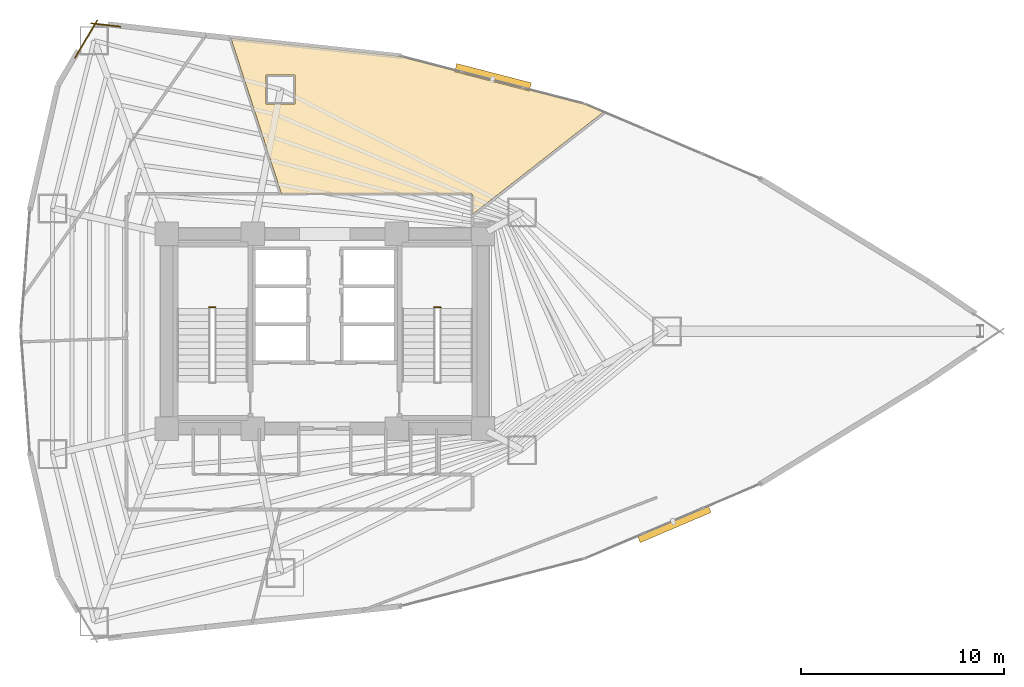
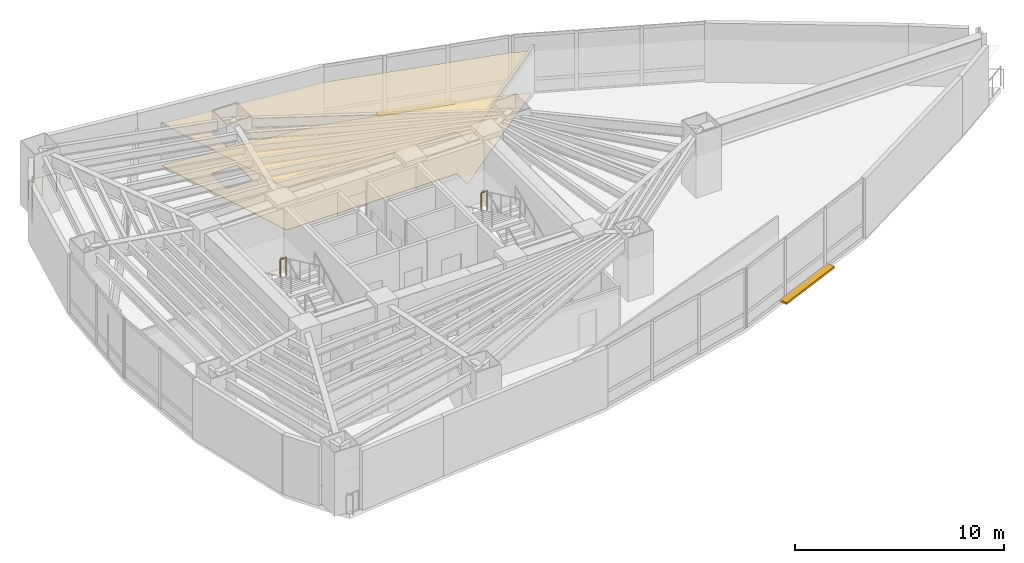
# One storey, part 19 of 20: 4 railings, 2 coverings, 2 shading devices.
"""IFC4 building model written with IfcOpenShell, lengths in metres."""

from ifc_helpers import new_model, si_unit, direction, frame, origin, origin_2d, place, context, subcontext, project, spatial, polyline, rectangle, circle, outline, extrude, material, layer, layer_set, type_object, element, save


model = new_model("IFC4")

# Units and contexts
model_context = context("Model", 3, precision=1e-05, world=origin(), true_north=direction((0.0, 1.0)))
body_context = subcontext(model_context, "Body", "Model", "MODEL_VIEW")
ifc_project = project(units=[si_unit("LENGTHUNIT", "METRE"), si_unit("AREAUNIT", "SQUARE_METRE"), si_unit("VOLUMEUNIT", "CUBIC_METRE"), si_unit("PLANEANGLEUNIT", "RADIAN"), si_unit("MASSUNIT", "GRAM", prefix="KILO")], contexts=[model_context])

# Site, building, storey
site_placement = place(None, origin())
site = spatial("IfcSite", under=ifc_project, at=site_placement, CompositionType="ELEMENT")
building_placement = place(site_placement, origin())
building = spatial("IfcBuilding", under=site, at=building_placement, Name="Menara Vayukalpa", CompositionType="ELEMENT")
storey_placement = place(building_placement, frame((0.0, 0.0, 57.360107421875)))
storey = spatial("IfcBuildingStorey", under=building, at=storey_placement, Name="L13", CompositionType="ELEMENT", Elevation=57.360107421875)

# Coverings
ifc_material_1 = material(Name="Mineral Fibre Acoustic Ceiling Tile", Category="masonry")
ifc_layer_1 = layer(ifc_material_1, 0.02490234375)
ifc_layer_set_1 = layer_set([ifc_layer_1], Name="Mineral Fibre Acoustic Ceiling Tile")
covering_type_1 = type_object("IfcCoveringType", Name="COV-CLG1", PredefinedType="CEILING", material=ifc_layer_set_1)
covering_1_placement = place(storey_placement, frame((0.0, 0.0, 2.449951171875)))
element("IfcCovering", 1, at=covering_1_placement, inside=storey, type_object=covering_type_1, Name="L13 Digital Engineering Lab Acoustic Ceiling", PredefinedType="CEILING", context=body_context, shape_type="SweptSolid", body=[
    extrude(outline(polyline([(38.416015625, 33.19677734375), (38.416748046875, 33.196533203125), (38.41748046875, 33.1962890625), (39.31787109375, 32.8125), (39.31884765625, 32.812255859375), (39.319580078125, 32.811767578125), (39.3203125, 32.81103515625), (39.3212890625, 32.810302734375), (39.32177734375, 32.8095703125), (39.322509765625, 32.808837890625), (39.322998046875, 32.80810546875), (39.3232421875, 32.80712890625), (39.323486328125, 32.80615234375), (39.32373046875, 32.80517578125), (39.323974609375, 32.80419921875), (39.323974609375, 32.80322265625), (39.323974609375, 32.80224609375), (39.32373046875, 32.80126953125), (39.323486328125, 32.80029296875), (39.3232421875, 32.79931640625), (39.32275390625, 32.798583984375), (39.322265625, 32.797607421875), (39.321533203125, 32.796875), (39.32080078125, 32.796142578125), (39.3203125, 32.79541015625), (32.88623046875, 27.768798828125), (32.885498046875, 27.768310546875), (32.884521484375, 27.767578125), (32.883544921875, 27.767333984375), (32.8828125, 27.76708984375), (32.8818359375, 27.766845703125), (32.880859375, 27.7666015625), (32.8798828125, 27.7666015625), (32.87890625, 27.7666015625), (32.8779296875, 27.766845703125), (32.876953125, 27.76708984375), (32.876220703125, 27.767333984375), (32.875244140625, 27.767822265625), (32.87451171875, 27.768310546875), (32.87353515625, 27.768798828125), (32.872802734375, 27.76953125), (32.872314453125, 27.770263671875), (32.87158203125, 27.77099609375), (32.87109375, 27.77197265625), (32.87060546875, 27.772705078125), (32.870361328125, 27.773681640625), (32.8701171875, 27.774658203125), (32.8701171875, 27.775634765625), (32.8701171875, 27.776611328125), (32.8701171875, 28.69970703125), (32.86962890625, 28.706787109375), (32.86865234375, 28.713623046875), (32.866943359375, 28.72021484375), (32.86474609375, 28.726806640625), (32.86181640625, 28.73291015625), (32.858154296875, 28.73876953125), (32.85400390625, 28.744384765625), (32.849609375, 28.74951171875), (32.844482421875, 28.75390625), (32.8388671875, 28.75830078125), (32.8330078125, 28.76171875), (32.826904296875, 28.7646484375), (32.8203125, 28.76708984375), (32.813720703125, 28.768798828125), (32.806884765625, 28.76953125), (32.7998046875, 28.77001953125), (23.470703125, 28.77001953125), (23.469482421875, 28.77001953125), (23.46875, 28.770263671875), (23.4677734375, 28.7705078125), (23.466796875, 28.770751953125), (23.466064453125, 28.77099609375), (23.465087890625, 28.771484375), (23.46435546875, 28.772216796875), (23.463623046875, 28.772705078125), (23.462890625, 28.773681640625), (23.46240234375, 28.7744140625), (23.4619140625, 28.775146484375), (23.46142578125, 28.77587890625), (23.461181640625, 28.77685546875), (20.973388671875, 36.433837890625), (20.972900390625, 36.434814453125), (20.972900390625, 36.435791015625), (20.972900390625, 36.436767578125), (20.972900390625, 36.437744140625), (20.972900390625, 36.438720703125), (20.97314453125, 36.439697265625), (20.973388671875, 36.440673828125), (20.973876953125, 36.44140625), (20.974365234375, 36.4423828125), (20.97509765625, 36.443115234375), (20.9755859375, 36.44384765625), (20.976318359375, 36.444580078125), (20.977294921875, 36.4453125), (20.97802734375, 36.44580078125), (20.97900390625, 36.446044921875), (20.97998046875, 36.446533203125), (20.98095703125, 36.44677734375), (20.98193359375, 36.447021484375), (20.98291015625, 36.447021484375), (20.98388671875, 36.44677734375), (29.28564453125, 35.55810546875), (29.287109375, 35.557861328125), (38.416015625, 33.19677734375)]), holes=[polyline([(24.134521484375, 33.207763671875), (24.134521484375, 34.6376953125), (22.704345703125, 34.6376953125), (22.704345703125, 33.207763671875), (24.134521484375, 33.207763671875)])]), origin(), (0.0, 0.0, 1.0), 0.02490234375),
])
ifc_material_2 = material(Name="Porcelain Stoneware Floor Tile", Category="masonry")
ifc_layer_2 = layer(ifc_material_2, 0.02001953125)
ifc_layer_set_2 = layer_set([ifc_layer_2], Name="Porcelain Stoneware Floor Tile")
covering_type_2 = type_object("IfcCoveringType", Name="COV-FLR1", PredefinedType="FLOORING", material=ifc_layer_set_2)
covering_2_placement = place(storey_placement, origin())
element("IfcCovering", 2, at=covering_2_placement, inside=storey, type_object=covering_type_2, Name="L13 Digital Engineering Lab Porcelain Flooring", PredefinedType="FLOORING", context=body_context, shape_type="SweptSolid", body=[
    extrude(outline(polyline([(38.416015625, 33.19677734375), (38.416748046875, 33.196533203125), (38.41748046875, 33.1962890625), (39.31787109375, 32.8125), (39.31884765625, 32.812255859375), (39.319580078125, 32.811767578125), (39.3203125, 32.81103515625), (39.3212890625, 32.810302734375), (39.32177734375, 32.8095703125), (39.322509765625, 32.808837890625), (39.322998046875, 32.80810546875), (39.3232421875, 32.80712890625), (39.323486328125, 32.80615234375), (39.32373046875, 32.80517578125), (39.323974609375, 32.80419921875), (39.323974609375, 32.80322265625), (39.323974609375, 32.80224609375), (39.32373046875, 32.80126953125), (39.323486328125, 32.80029296875), (39.3232421875, 32.79931640625), (39.32275390625, 32.798583984375), (39.322265625, 32.797607421875), (39.321533203125, 32.796875), (39.32080078125, 32.796142578125), (39.3203125, 32.79541015625), (32.88623046875, 27.768798828125), (32.885498046875, 27.768310546875), (32.884521484375, 27.767578125), (32.883544921875, 27.767333984375), (32.8828125, 27.76708984375), (32.8818359375, 27.766845703125), (32.880859375, 27.7666015625), (32.8798828125, 27.7666015625), (32.87890625, 27.7666015625), (32.8779296875, 27.766845703125), (32.876953125, 27.76708984375), (32.876220703125, 27.767333984375), (32.875244140625, 27.767822265625), (32.87451171875, 27.768310546875), (32.87353515625, 27.768798828125), (32.872802734375, 27.76953125), (32.872314453125, 27.770263671875), (32.87158203125, 27.77099609375), (32.87109375, 27.77197265625), (32.87060546875, 27.772705078125), (32.870361328125, 27.773681640625), (32.8701171875, 27.774658203125), (32.8701171875, 27.775634765625), (32.8701171875, 27.776611328125), (32.8701171875, 28.69970703125), (32.86962890625, 28.706787109375), (32.86865234375, 28.713623046875), (32.866943359375, 28.72021484375), (32.86474609375, 28.726806640625), (32.86181640625, 28.73291015625), (32.858154296875, 28.73876953125), (32.85400390625, 28.744384765625), (32.849609375, 28.74951171875), (32.844482421875, 28.75390625), (32.8388671875, 28.75830078125), (32.8330078125, 28.76171875), (32.826904296875, 28.7646484375), (32.8203125, 28.76708984375), (32.813720703125, 28.768798828125), (32.806884765625, 28.76953125), (32.7998046875, 28.77001953125), (23.470703125, 28.77001953125), (23.469482421875, 28.77001953125), (23.46875, 28.770263671875), (23.4677734375, 28.7705078125), (23.466796875, 28.770751953125), (23.466064453125, 28.77099609375), (23.465087890625, 28.771484375), (23.46435546875, 28.772216796875), (23.463623046875, 28.772705078125), (23.462890625, 28.773681640625), (23.46240234375, 28.7744140625), (23.4619140625, 28.775146484375), (23.46142578125, 28.77587890625), (23.461181640625, 28.77685546875), (20.973388671875, 36.433837890625), (20.972900390625, 36.434814453125), (20.972900390625, 36.435791015625), (20.972900390625, 36.436767578125), (20.972900390625, 36.437744140625), (20.972900390625, 36.438720703125), (20.97314453125, 36.439697265625), (20.973388671875, 36.440673828125), (20.973876953125, 36.44140625), (20.974365234375, 36.4423828125), (20.97509765625, 36.443115234375), (20.9755859375, 36.44384765625), (20.976318359375, 36.444580078125), (20.977294921875, 36.4453125), (20.97802734375, 36.44580078125), (20.97900390625, 36.446044921875), (20.97998046875, 36.446533203125), (20.98095703125, 36.44677734375), (20.98193359375, 36.447021484375), (20.98291015625, 36.447021484375), (20.98388671875, 36.44677734375), (29.28564453125, 35.55810546875), (29.287109375, 35.557861328125), (38.416015625, 33.19677734375)]), holes=[polyline([(24.134521484375, 33.207763671875), (24.134521484375, 34.6376953125), (22.704345703125, 34.6376953125), (22.704345703125, 33.207763671875), (24.134521484375, 33.207763671875)])]), origin(), (0.0, 0.0, 1.0), 0.019775390625),
])

# Railings
ifc_material_3 = material(Name="Laminated Glass and Stainless Steel 316 Guardrail", Category="steel")
railing_type_1 = type_object("IfcRailingType", Name="RLG-EXT115", PredefinedType="GUARDRAIL", material=ifc_material_3)
railing_1_placement = place(storey_placement, frame((15.52294921875, 37.017822265625, 0.0)))
element("IfcRailing", 3, at=railing_1_placement, inside=storey, type_object=railing_type_1, Name="L13 Column Corner Spandrel Guardrail 07-1", PredefinedType="GUARDRAIL", context=body_context, shape_type="SweptSolid", body=[
    extrude(circle(Radius=0.02392578125, at=origin_2d()), frame((0.0, 0.0, 1.1259765625), z_axis=(-0.993641249981, 0.112592479038, 0.0), x_axis=(-0.112592479038, -0.993641249981, 0.0)), (0.0, 0.0, 1.0), 1.45068359375),
    extrude(circle(Radius=0.02099609375, at=origin_2d()), origin(), (0.0, 0.0, 1.0), 1.101806640625),
    extrude(circle(Radius=0.02099609375, at=origin_2d()), frame((-0.720703125, 0.08154296875, 0.0)), (0.0, 0.0, 1.0), 1.101806640625),
    extrude(circle(Radius=0.02099609375, at=origin_2d()), frame((-1.44140625, 0.163330078125, 0.0)), (0.0, 0.0, 1.0), 1.101806640625),
])
railing_2_placement = place(storey_placement, frame((14.370361328125, 37.325439453125, 0.0)))
element("IfcRailing", 4, at=railing_2_placement, inside=storey, type_object=railing_type_1, Name="L13 Column Corner Spandrel Guardrail 08-1", PredefinedType="GUARDRAIL", context=body_context, shape_type="SweptSolid", body=[
    extrude(circle(Radius=0.02392578125, at=origin_2d()), frame((0.0, 0.0, 1.1259765625), z_axis=(-0.506816821418, -0.862053774151, 0.0), x_axis=(0.862053774151, -0.506816821418, 0.0)), (0.0, 0.0, 1.0), 2.15185546875),
    extrude(circle(Radius=0.02099609375, at=origin_2d()), origin(), (0.0, 0.0, 1.0), 1.101806640625),
    extrude(circle(Radius=0.02099609375, at=origin_2d()), frame((-0.54541015625, -0.927490234375, 0.0)), (0.0, 0.0, 1.0), 1.101806640625),
    extrude(circle(Radius=0.02099609375, at=origin_2d()), frame((-1.090576171875, -1.85498046875, 0.0)), (0.0, 0.0, 1.0), 1.101806640625),
])
ifc_material_4 = material(Name="Powder-Coated Galvanised Steel Guardrail", Category="steel")
railing_type_2 = type_object("IfcRailingType", Name="RLG-STG110", PredefinedType="GUARDRAIL", material=ifc_material_4)
for number, where, name in (
    (5, (20.2099609375, 23.179931640625, 1.85986328125), "L13 ST-1 stair guard 2"),
    (6, (31.31005859375, 23.179931640625, 1.85986328125), "L13 ST-2 stair guard 2"),
):
    element("IfcRailing", number, at=place(storey_placement, frame(where)), inside=storey, type_object=railing_type_2, Name=name, PredefinedType="GUARDRAIL", context=body_context, shape_type="SweptSolid", body=[
        extrude(circle(Radius=0.02392578125, at=origin_2d()), frame((0.0, 0.0, 1.09619140625), z_axis=(-1.0, 0.0, 0.0), x_axis=(0.0, -1.0, 0.0)), (0.0, 0.0, 1.0), 0.320068359375),
        extrude(circle(Radius=0.02099609375, at=origin_2d()), origin(), (0.0, 0.0, 1.0), 1.072021484375),
        extrude(circle(Radius=0.02099609375, at=origin_2d()), frame((-0.320068359375, 0.0, 0.0)), (0.0, 0.0, 1.0), 1.072021484375),
    ])

# Shading devices
ifc_material_5 = material(Name="Glazed Terracotta Ceramic Baguette Extrusion", Category="masonry")
ifc_layer_3 = layer(ifc_material_5, 0.1201171875)
ifc_layer_set_3 = layer_set([ifc_layer_3], Name="Glazed Terracotta Ceramic Baguette Extrusion")
shading_device_type = type_object("IfcShadingDeviceType", Name="SHD-SS1", PredefinedType="USERDEFINED", material=ifc_layer_set_3)
for number, where, z_axis, x_axis, name in (
    (7, (33.88916015625, 34.5224609375, -0.10009765625), (0.0, 0.0, 1.0), (-0.968143270275, 0.25039690138, 0.0), "L13 Horizontal Terracotta Sunshade Band 05"),
    (8, (42.813720703125, 12.513916015625, -0.10009765625), (0.0, 0.0, 1.0), (0.919958392769, 0.392016014434, 0.0), "L13 Horizontal Terracotta Sunshade Band 17"),
):
    element("IfcShadingDevice", number, at=place(storey_placement, frame(where, z_axis=z_axis, x_axis=x_axis)), inside=storey, type_object=shading_device_type, Name=name, ObjectType="SUNSHADE", PredefinedType="USERDEFINED", context=body_context, shape_type="SweptSolid", body=[
        extrude(rectangle(XDim=3.800048828125, YDim=0.419921875, at=origin_2d()), origin(), (0.0, 0.0, 1.0), 0.1201171875),
    ])

save(model, "model.ifc")
